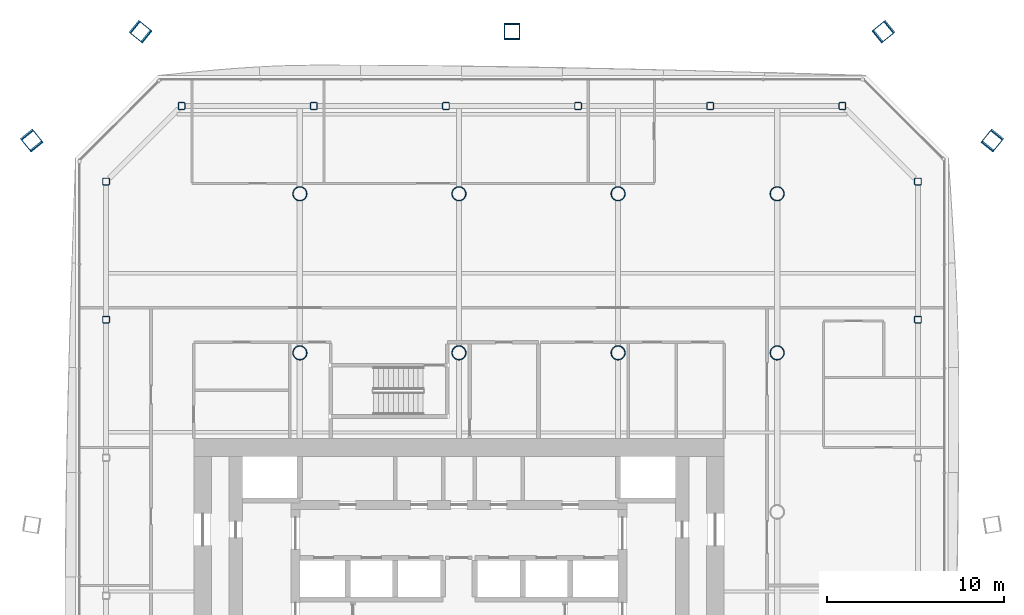
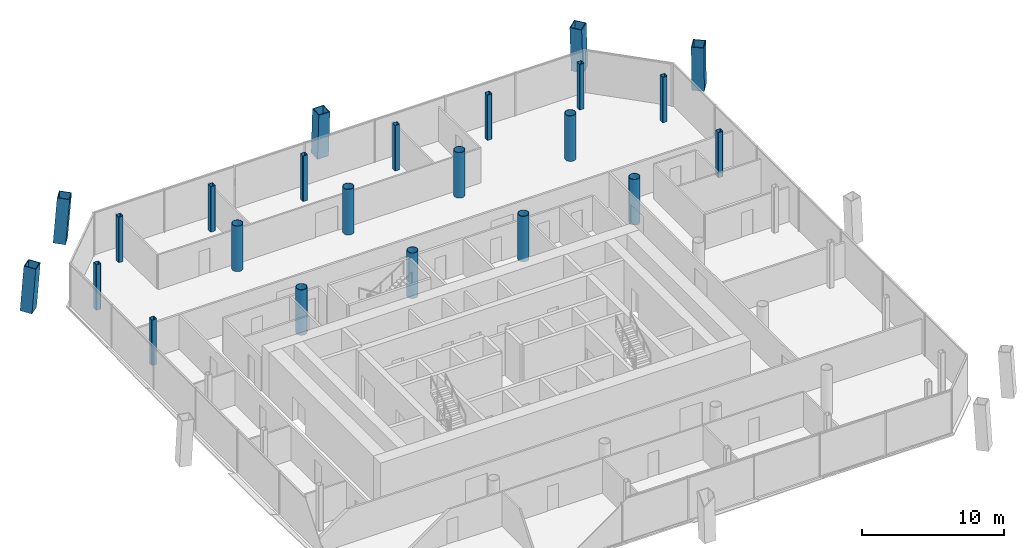
# One storey, part 2 of 19: 23 columns.
"""IFC4 building model written with IfcOpenShell, lengths in metres."""

from ifc_helpers import new_model, si_unit, direction, frame, origin, origin_2d, place, context, subcontext, project, spatial, hollow_rectangle, hollow_circle, extrude, material, material_profile, profile_set, type_object, element, save


model = new_model("IFC4")

# Units and contexts
model_context = context("Model", 3, precision=1e-05, world=origin(), true_north=direction((0.0, 1.0)))
body_context = subcontext(model_context, "Body", "Model", "MODEL_VIEW")
ifc_project = project(units=[si_unit("LENGTHUNIT", "METRE"), si_unit("AREAUNIT", "SQUARE_METRE"), si_unit("VOLUMEUNIT", "CUBIC_METRE"), si_unit("PLANEANGLEUNIT", "RADIAN"), si_unit("MASSUNIT", "GRAM", prefix="KILO")], contexts=[model_context])

# Site, building, storey
site_placement = place(None, origin())
site = spatial("IfcSite", under=ifc_project, at=site_placement, CompositionType="ELEMENT")
building_placement = place(site_placement, origin())
building = spatial("IfcBuilding", under=site, at=building_placement, Name="Tskaro Facet Tower", CompositionType="ELEMENT")
storey_placement = place(building_placement, frame((0.0, 0.0, 93.300048828125)))
storey = spatial("IfcBuildingStorey", under=building, at=storey_placement, Name="L22", CompositionType="ELEMENT", Elevation=93.300048828125)

# Columns
ifc_material_1 = material(Name="Steel S460M", Category="steel")
ifc_material_profile_1 = material_profile(ifc_material_1, hollow_rectangle(XDim=0.89990234375, YDim=0.89990234375, WallThickness=0.054931640625, at=origin_2d()), Name="BOX 900x900x55")
ifc_profile_set_1 = profile_set([ifc_material_profile_1], Name="Steel S460M")
column_type_1 = type_object("IfcColumnType", Name="BOX 900x900x55 mega column", PredefinedType="COLUMN", material=ifc_profile_set_1)
for number, where, z_axis, x_axis, name in (
    (1, (30.197998046875, 21.047119140625, 0.0), (-0.046821200064, -0.057808575012, 0.997229133088), (0.777088504756, -0.629391337545, 0.0), "BOX 900x900x55 MC06/2"),
    (2, (24.047119140625, 27.197998046875, 0.0), (-0.057808575012, -0.046821200064, 0.997229133088), (0.629391337545, -0.777088504756, 0.0), "BOX 900x900x55 MC07/2"),
):
    element("IfcColumn", number, at=place(storey_placement, frame(where, z_axis=z_axis, x_axis=x_axis)), inside=storey, type_object=column_type_1, Name=name, PredefinedType="COLUMN", context=body_context, shape_type="SweptSolid", body=[
        extrude(hollow_rectangle(XDim=0.89990234375, YDim=0.89990234375, WallThickness=0.054931640625, at=origin_2d()), origin(), (0.0, 0.0, 1.0), 3.91064453125),
    ])
column_placement = place(storey_placement, frame((3.0, 27.197998046875, 0.0), z_axis=(0.0, -0.046899630973, 0.998899606875), x_axis=(1.0, 0.0, 0.0)))
element("IfcColumn", 3, at=column_placement, inside=storey, type_object=column_type_1, Name="BOX 900x900x55 MC08/2", PredefinedType="COLUMN", context=body_context, shape_type="SweptSolid", body=[
    extrude(hollow_rectangle(XDim=0.89990234375, YDim=0.89990234375, WallThickness=0.054931640625, at=origin_2d()), origin(), (0.0, 0.0, 1.0), 3.904296875),
])
for number, where, z_axis, x_axis, name in (
    (4, (-18.047119140625, 27.197998046875, 0.0), (0.057808575012, -0.046821200064, 0.997229133088), (0.629391337545, 0.777088504756, 0.0), "BOX 900x900x55 MC09/2"),
    (5, (-24.197998046875, 21.047119140625, 0.0), (0.046821200064, -0.057808575012, 0.997229133088), (0.777088504756, 0.629391337545, 0.0), "BOX 900x900x55 MC10/2"),
):
    element("IfcColumn", number, at=place(storey_placement, frame(where, z_axis=z_axis, x_axis=x_axis)), inside=storey, type_object=column_type_1, Name=name, PredefinedType="COLUMN", context=body_context, shape_type="SweptSolid", body=[
        extrude(hollow_rectangle(XDim=0.89990234375, YDim=0.89990234375, WallThickness=0.054931640625, at=origin_2d()), origin(), (0.0, 0.0, 1.0), 3.91064453125),
    ])
ifc_material_2 = material(Name="Steel S355J2H", Category="steel")
ifc_material_profile_2 = material_profile(ifc_material_2, hollow_circle(Radius=0.406494140625, WallThickness=0.035888671875, at=origin_2d()), Name="CHS 812.8x36")
ifc_profile_set_2 = profile_set([ifc_material_profile_2], Name="Steel S355J2H")
column_type_2 = type_object("IfcColumnType", Name="CHS 812.8x36 interior column", PredefinedType="COLUMN", material=ifc_profile_set_2)
for number, where, z_axis, x_axis, name in (
    (6, (-9.0, 9.0, 0.0), (0.0, 0.0, 1.0), (1.0, 0.0, 0.0), "CHS 812.8x36 C3E/2"),
    (7, (-9.0, 18.0, 0.0), (0.0, 0.0, 1.0), (1.0, 0.0, 0.0), "CHS 812.8x36 C3F/2"),
    (8, (0.0, 9.0, 0.0), (0.0, 0.0, 1.0), (1.0, 0.0, 0.0), "CHS 812.8x36 C4E/2"),
    (9, (0.0, 18.0, 0.0), (0.0, 0.0, 1.0), (1.0, 0.0, 0.0), "CHS 812.8x36 C4F/2"),
    (10, (9.0, 9.0, 0.0), (0.0, 0.0, 1.0), (1.0, 0.0, 0.0), "CHS 812.8x36 C5E/2"),
    (11, (9.0, 18.0, 0.0), (0.0, 0.0, 1.0), (1.0, 0.0, 0.0), "CHS 812.8x36 C5F/2"),
    (12, (18.0, 9.0, 0.0), (0.0, 0.0, 1.0), (1.0, 0.0, 0.0), "CHS 812.8x36 C6E/2"),
    (13, (18.0, 18.0, 0.0), (0.0, 0.0, 1.0), (1.0, 0.0, 0.0), "CHS 812.8x36 C6F/2"),
):
    element("IfcColumn", number, at=place(storey_placement, frame(where, z_axis=z_axis, x_axis=x_axis)), inside=storey, type_object=column_type_2, Name=name, PredefinedType="COLUMN", context=body_context, shape_type="SweptSolid", body=[
        extrude(hollow_circle(Radius=0.406494140625, WallThickness=0.035888671875, at=origin_2d()), origin(), (0.0, 0.0, 1.0), 3.89990234375),
    ])
ifc_material_profile_3 = material_profile(ifc_material_2, hollow_rectangle(XDim=0.39990234375, YDim=0.39990234375, WallThickness=0.02490234375, InnerFilletRadius=0.03759765625, OuterFilletRadius=0.0625, at=origin_2d()), Name="SHS 400x400x25")
ifc_profile_set_3 = profile_set([ifc_material_profile_3], Name="Steel S355J2H")
column_type_3 = type_object("IfcColumnType", Name="SHS 400x400x25 ring column", PredefinedType="COLUMN", material=ifc_profile_set_3)
for number, where, z_axis, x_axis, name in (
    (14, (25.965087890625, 10.87890625, 0.0), (0.0, 0.0, 1.0), (1.0, 0.0, 0.0), "SHS 400x400x25 RE-5/2"),
    (15, (25.965087890625, 18.68994140625, 0.0), (0.0, 0.0, 1.0), (1.0, 0.0, 0.0), "SHS 400x400x25 RNE-1/2"),
    (16, (21.68994140625, 22.965087890625, 0.0), (0.0, 0.0, 1.0), (1.0, 0.0, 0.0), "SHS 400x400x25 RN-1/2"),
    (17, (14.214111328125, 22.965087890625, 0.0), (0.0, 0.0, 1.0), (1.0, 0.0, 0.0), "SHS 400x400x25 RN-2/2"),
    (18, (6.738037109375, 22.965087890625, 0.0), (0.0, 0.0, 1.0), (1.0, 0.0, 0.0), "SHS 400x400x25 RN-3/2"),
    (19, (-0.738037109375, 22.965087890625, 0.0), (0.0, 0.0, 1.0), (1.0, 0.0, 0.0), "SHS 400x400x25 RN-4/2"),
    (20, (-8.214111328125, 22.965087890625, 0.0), (0.0, 0.0, 1.0), (1.0, 0.0, 0.0), "SHS 400x400x25 RN-5/2"),
    (21, (-15.68994140625, 22.965087890625, 0.0), (0.0, 0.0, 1.0), (1.0, 0.0, 0.0), "SHS 400x400x25 RNW-1/2"),
    (22, (-19.965087890625, 18.68994140625, 0.0), (0.0, 0.0, 1.0), (1.0, 0.0, 0.0), "SHS 400x400x25 RW-1/2"),
    (23, (-19.965087890625, 10.87890625, 0.0), (0.0, 0.0, 1.0), (1.0, 0.0, 0.0), "SHS 400x400x25 RW-2/2"),
):
    element("IfcColumn", number, at=place(storey_placement, frame(where, z_axis=z_axis, x_axis=x_axis)), inside=storey, type_object=column_type_3, Name=name, PredefinedType="COLUMN", context=body_context, shape_type="SweptSolid", body=[
        extrude(hollow_rectangle(XDim=0.39990234375, YDim=0.39990234375, WallThickness=0.02490234375, InnerFilletRadius=0.03759765625, OuterFilletRadius=0.0625, at=origin_2d()), origin(), (0.0, 0.0, 1.0), 3.89990234375),
    ])

save(model, "model.ifc")
